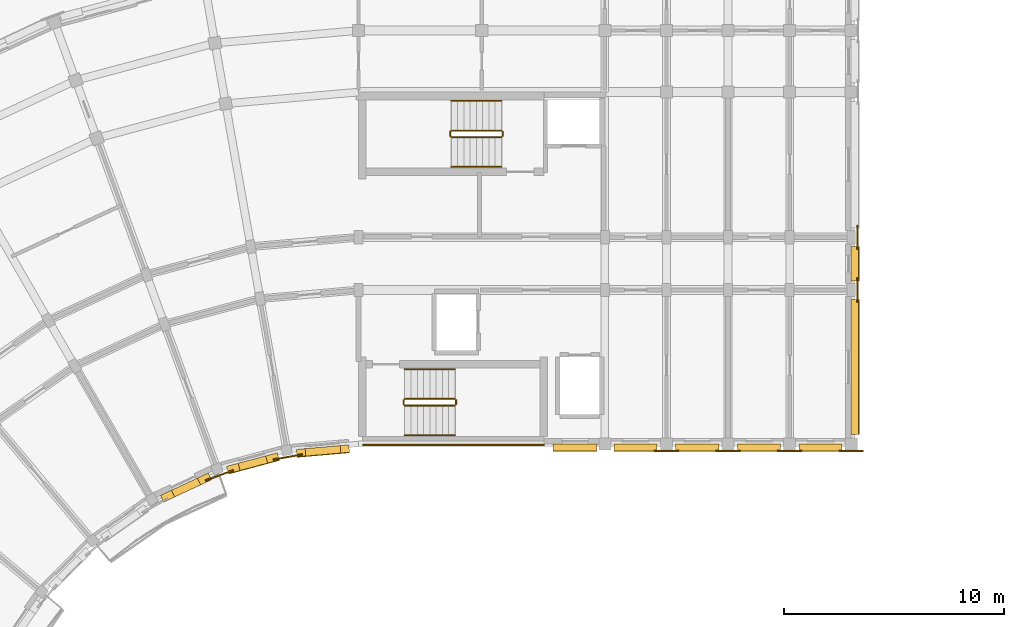
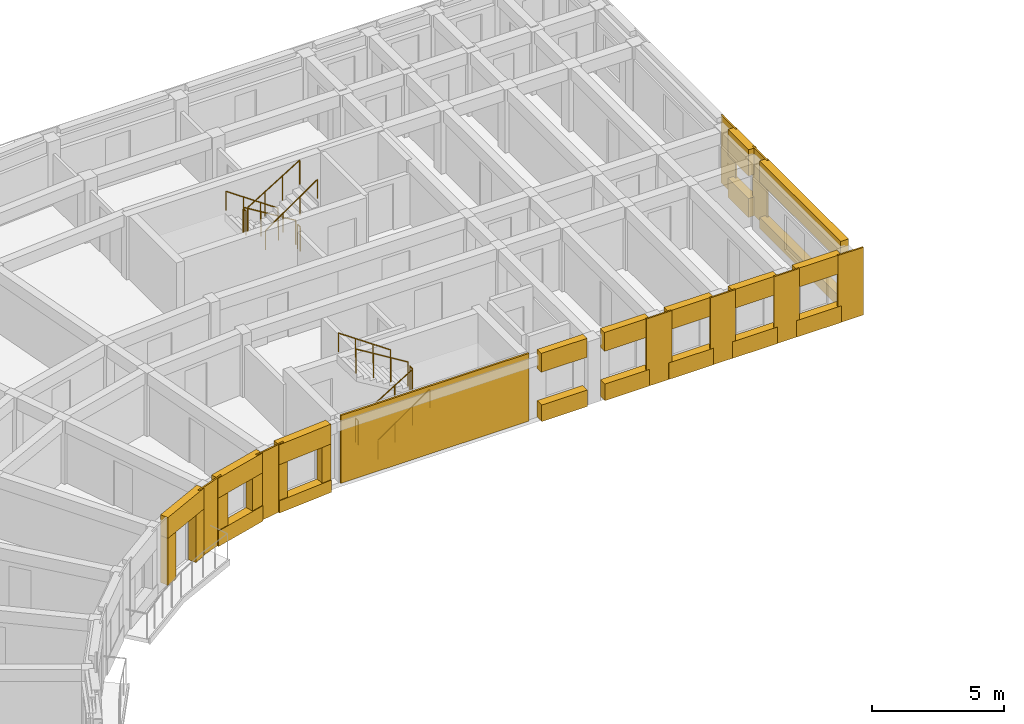
# One storey, part 21 of 23: 34 coverings, 12 railings.
"""IFC4 building model written with IfcOpenShell, lengths in metres."""

from ifc_helpers import new_model, si_unit, direction, frame, origin, origin_2d, place, context, subcontext, project, spatial, polyline, circle, outline, extrude, material, layer, layer_set, type_object, element, save


model = new_model("IFC4")

# Units and contexts
model_context = context("Model", 3, precision=1e-05, world=origin(), true_north=direction((0.0, 1.0)))
body_context = subcontext(model_context, "Body", "Model", "MODEL_VIEW")
ifc_project = project(units=[si_unit("LENGTHUNIT", "METRE"), si_unit("AREAUNIT", "SQUARE_METRE"), si_unit("VOLUMEUNIT", "CUBIC_METRE"), si_unit("PLANEANGLEUNIT", "RADIAN"), si_unit("MASSUNIT", "GRAM", prefix="KILO")], contexts=[model_context])

# Site, building, storey
site_placement = place(None, origin())
site = spatial("IfcSite", under=ifc_project, at=site_placement, CompositionType="ELEMENT")
building_placement = place(site_placement, origin())
building = spatial("IfcBuilding", under=site, at=building_placement, Name="Kiranvali Square Residences", CompositionType="ELEMENT")
storey_placement = place(building_placement, frame((0.0, 0.0, 43.35009765625)))
storey = spatial("IfcBuildingStorey", under=building, at=storey_placement, Name="L13", CompositionType="ELEMENT", Elevation=43.35009765625)

# Coverings
ifc_material_1 = material(Name="Honed Porbandar limestone ashlar facade cladding", Category="masonry")
ifc_layer_1 = layer(ifc_material_1, 0.3798828125)
ifc_layer_set_1 = layer_set([ifc_layer_1], Name="Honed Porbandar limestone ashlar facade cladding")
covering_type_1 = type_object("IfcCoveringType", Name="COV-CLAD-JAMB", PredefinedType="CLADDING", material=ifc_layer_set_1)
covering_1_placement = place(storey_placement, frame((0.0, 0.0, 0.572021484375)))
element("IfcCovering", 1, at=covering_1_placement, inside=storey, type_object=covering_type_1, Name="L13 deep limestone window jamb reveal A-L13-GDN-00.L", PredefinedType="CLADDING", context=body_context, shape_type="SweptSolid", body=[
    extrude(outline(polyline([(47.76171875, 106.56103515625), (47.36474609375, 106.5263671875), (47.394287109375, 106.188232421875), (47.791259765625, 106.222900390625), (47.76171875, 106.56103515625)])), origin(), (0.0, 0.0, 1.0), 1.64990234375),
])
covering_2_placement = place(storey_placement, frame((0.0, 0.0, 0.572021484375)))
element("IfcCovering", 2, at=covering_2_placement, inside=storey, type_object=covering_type_1, Name="L13 deep limestone window jamb reveal A-L13-GDN-00.R", PredefinedType="CLADDING", context=body_context, shape_type="SweptSolid", body=[
    extrude(outline(polyline([(45.770751953125, 106.386962890625), (45.373779296875, 106.352294921875), (45.4033203125, 106.013916015625), (45.80029296875, 106.048828125), (45.770751953125, 106.386962890625)])), origin(), (0.0, 0.0, 1.0), 1.64990234375),
])
covering_3_placement = place(storey_placement, frame((0.0, 0.0, 0.721923828125)))
element("IfcCovering", 3, at=covering_3_placement, inside=storey, type_object=covering_type_1, Name="L13 deep limestone window jamb reveal A-L13-GDN-01.L", PredefinedType="CLADDING", context=body_context, shape_type="SweptSolid", body=[
    extrude(outline(polyline([(44.510498046875, 106.199951171875), (43.980712890625, 106.05810546875), (44.068603515625, 105.730224609375), (44.598388671875, 105.8720703125), (44.510498046875, 106.199951171875)])), origin(), (0.0, 0.0, 1.0), 1.5),
])
covering_4_placement = place(storey_placement, frame((0.0, 0.0, 0.721923828125)))
element("IfcCovering", 4, at=covering_4_placement, inside=storey, type_object=covering_type_1, Name="L13 deep limestone window jamb reveal A-L13-GDN-01.R", PredefinedType="CLADDING", context=body_context, shape_type="SweptSolid", body=[
    extrude(outline(polyline([(42.72509765625, 105.7216796875), (42.195068359375, 105.57958984375), (42.282958984375, 105.251708984375), (42.812744140625, 105.3935546875), (42.72509765625, 105.7216796875)])), origin(), (0.0, 0.0, 1.0), 1.5),
])
covering_5_placement = place(storey_placement, origin())
element("IfcCovering", 5, at=covering_5_placement, inside=storey, type_object=covering_type_1, Name="L13 deep limestone window jamb reveal A-L13-GDN-02.L", PredefinedType="CLADDING", context=body_context, shape_type="SweptSolid", body=[
    extrude(outline(polyline([(41.37158203125, 105.27978515625), (40.874267578125, 105.048095703125), (41.017822265625, 104.740234375), (41.514892578125, 104.97216796875), (41.37158203125, 105.27978515625)])), origin(), (0.0, 0.0, 1.0), 2.179931640625),
])
covering_6_placement = place(storey_placement, origin())
element("IfcCovering", 6, at=covering_6_placement, inside=storey, type_object=covering_type_1, Name="L13 deep limestone window jamb reveal A-L13-GDN-02.R", PredefinedType="CLADDING", context=body_context, shape_type="SweptSolid", body=[
    extrude(outline(polyline([(39.696044921875, 104.49853515625), (39.198974609375, 104.266845703125), (39.342529296875, 103.958984375), (39.839599609375, 104.19091796875), (39.696044921875, 104.49853515625)])), origin(), (0.0, 0.0, 1.0), 2.179931640625),
])
ifc_layer_2 = layer(ifc_material_1, 0.06494140625)
ifc_layer_set_2 = layer_set([ifc_layer_2], Name="Honed Porbandar limestone ashlar facade cladding")
covering_type_2 = type_object("IfcCoveringType", Name="COV-CLAD-PIER", PredefinedType="CLADDING", material=ifc_layer_set_2)
covering_7_placement = place(storey_placement, frame((0.0, 0.0, 0.0048828125)))
element("IfcCovering", 7, at=covering_7_placement, inside=storey, type_object=covering_type_2, Name="Block A L13 garden stair limestone ashlar cladding", PredefinedType="CLADDING", context=body_context, shape_type="SweptSolid", body=[
    extrude(outline(polyline([(48.39990234375, 106.52001953125), (56.64990234375, 106.52001953125), (56.64990234375, 106.597900390625), (48.39990234375, 106.597900390625), (48.39990234375, 106.52001953125)])), origin(), (0.0, 0.0, 1.0), 3.14013671875),
])
ifc_layer_3 = layer(ifc_material_1, 0.050048828125)
ifc_layer_set_3 = layer_set([ifc_layer_3], Name="Honed Porbandar limestone ashlar facade cladding")
covering_type_3 = type_object("IfcCoveringType", Name="COV-CLAD-PIER-IN", PredefinedType="CLADDING", material=ifc_layer_set_3)
covering_8_placement = place(storey_placement, frame((0.0, 0.0, 0.0048828125)))
element("IfcCovering", 8, at=covering_8_placement, inside=storey, type_object=covering_type_3, Name="L13 Classical garden courtyard pilaster CLAD-PRIN-A-L13-A01", PredefinedType="CLADDING", context=body_context, shape_type="SweptSolid", body=[
    extrude(outline(polyline([(44.330322265625, 105.859375), (45.65966796875, 106.09375), (45.64794921875, 106.160400390625), (44.318603515625, 105.92578125), (44.330322265625, 105.859375)])), origin(), (0.0, 0.0, 1.0), 3.14013671875),
])
covering_9_placement = place(storey_placement, frame((0.0, 0.0, 0.0048828125)))
element("IfcCovering", 9, at=covering_9_placement, inside=storey, type_object=covering_type_3, Name="L13 Classical garden courtyard pilaster CLAD-PRIN-A-L13-A02", PredefinedType="CLADDING", context=body_context, shape_type="SweptSolid", body=[
    extrude(outline(polyline([(41.2529296875, 104.9130859375), (42.521728515625, 105.374755859375), (42.49853515625, 105.438232421875), (41.22998046875, 104.9765625), (41.2529296875, 104.9130859375)])), origin(), (0.0, 0.0, 1.0), 3.14013671875),
])
covering_10_placement = place(storey_placement, frame((0.0, 0.0, 0.0048828125)))
element("IfcCovering", 10, at=covering_10_placement, inside=storey, type_object=covering_type_3, Name="L13 Classical limestone pilaster casing CLAD-PRA1I-A-L13-U140", PredefinedType="CLADDING", context=body_context, shape_type="SweptSolid", body=[
    extrude(outline(polyline([(61.64501953125, 106.257080078125), (62.7548828125, 106.257080078125), (62.7548828125, 106.324462890625), (61.64501953125, 106.324462890625), (61.64501953125, 106.257080078125)])), origin(), (0.0, 0.0, 1.0), 3.14013671875),
])
covering_11_placement = place(storey_placement, frame((0.0, 0.0, 0.0048828125)))
element("IfcCovering", 11, at=covering_11_placement, inside=storey, type_object=covering_type_3, Name="L13 Classical limestone pilaster casing CLAD-PRA1I-A-L13-U167", PredefinedType="CLADDING", context=body_context, shape_type="SweptSolid", body=[
    extrude(outline(polyline([(64.445068359375, 106.257080078125), (65.554931640625, 106.257080078125), (65.554931640625, 106.324462890625), (64.445068359375, 106.324462890625), (64.445068359375, 106.257080078125)])), origin(), (0.0, 0.0, 1.0), 3.14013671875),
])
covering_12_placement = place(storey_placement, frame((0.0, 0.0, 0.0048828125)))
element("IfcCovering", 12, at=covering_12_placement, inside=storey, type_object=covering_type_3, Name="L13 Classical limestone pilaster casing CLAD-PRA1I-A-L13-U195", PredefinedType="CLADDING", context=body_context, shape_type="SweptSolid", body=[
    extrude(outline(polyline([(67.2451171875, 106.257080078125), (68.35498046875, 106.257080078125), (68.35498046875, 106.324462890625), (67.2451171875, 106.324462890625), (67.2451171875, 106.257080078125)])), origin(), (0.0, 0.0, 1.0), 3.14013671875),
])
covering_13_placement = place(storey_placement, frame((0.0, 0.0, 0.0048828125)))
element("IfcCovering", 13, at=covering_13_placement, inside=storey, type_object=covering_type_3, Name="L13 Classical limestone pilaster casing CLAD-PRA1I-A-L13-U224", PredefinedType="CLADDING", context=body_context, shape_type="SweptSolid", body=[
    extrude(outline(polyline([(70.044921875, 106.257080078125), (71.155029296875, 106.257080078125), (71.155029296875, 106.324462890625), (70.044921875, 106.324462890625), (70.044921875, 106.257080078125)])), origin(), (0.0, 0.0, 1.0), 3.14013671875),
])
ifc_layer_4 = layer(ifc_material_1, 0.054931640625)
ifc_layer_set_4 = layer_set([ifc_layer_4], Name="Honed Porbandar limestone ashlar facade cladding")
covering_type_4 = type_object("IfcCoveringType", Name="COV-CLAD-PIER-UP", PredefinedType="CLADDING", material=ifc_layer_set_4)
covering_14_placement = place(storey_placement, frame((0.0, 0.0, 0.0048828125)))
element("IfcCovering", 14, at=covering_14_placement, inside=storey, type_object=covering_type_4, Name="L13 Classical limestone pilaster casing CLAD-PRA1E-A-L13-R258", PredefinedType="CLADDING", context=body_context, shape_type="SweptSolid", body=[
    extrude(outline(polyline([(70.91796875, 113.044921875), (70.91796875, 114.155029296875), (70.8505859375, 114.155029296875), (70.8505859375, 113.044921875), (70.91796875, 113.044921875)])), origin(), (0.0, 0.0, 1.0), 3.14013671875),
])
covering_15_placement = place(storey_placement, frame((0.0, 0.0, 0.0048828125)))
element("IfcCovering", 15, at=covering_15_placement, inside=storey, type_object=covering_type_4, Name="L13 Classical limestone pilaster casing CLAD-PRA1E-A-L13-R282", PredefinedType="CLADDING", context=body_context, shape_type="SweptSolid", body=[
    extrude(outline(polyline([(70.91796875, 115.445068359375), (70.91796875, 116.554931640625), (70.8505859375, 116.554931640625), (70.8505859375, 115.445068359375), (70.91796875, 115.445068359375)])), origin(), (0.0, 0.0, 1.0), 3.14013671875),
])
ifc_layer_5 = layer(ifc_material_1, 0.360107421875)
ifc_layer_set_5 = layer_set([ifc_layer_5], Name="Honed Porbandar limestone ashlar facade cladding")
covering_type_5 = type_object("IfcCoveringType", Name="COV-CLAD-WALL", PredefinedType="CLADDING", material=ifc_layer_set_5)
covering_16_placement = place(storey_placement, frame((0.0, 0.0, 2.221923828125)))
element("IfcCovering", 16, at=covering_16_placement, inside=storey, type_object=covering_type_5, Name="L13 light limestone spandrel lintel A-L13-GDN-00", PredefinedType="CLADDING", context=body_context, shape_type="SweptSolid", body=[
    extrude(outline(polyline([(47.76171875, 106.56103515625), (45.373779296875, 106.352294921875), (45.4033203125, 106.013916015625), (47.791259765625, 106.222900390625), (47.76171875, 106.56103515625)])), origin(), (0.0, 0.0, 1.0), 0.923095703125),
])
covering_17_placement = place(storey_placement, frame((0.0, 0.0, 2.221923828125)))
element("IfcCovering", 17, at=covering_17_placement, inside=storey, type_object=covering_type_5, Name="L13 light limestone spandrel lintel A-L13-GDN-01", PredefinedType="CLADDING", context=body_context, shape_type="SweptSolid", body=[
    extrude(outline(polyline([(44.510498046875, 106.199951171875), (42.195068359375, 105.57958984375), (42.282958984375, 105.251708984375), (44.598388671875, 105.8720703125), (44.510498046875, 106.199951171875)])), origin(), (0.0, 0.0, 1.0), 0.923095703125),
])
covering_18_placement = place(storey_placement, frame((0.0, 0.0, 2.179931640625)))
element("IfcCovering", 18, at=covering_18_placement, inside=storey, type_object=covering_type_5, Name="L13 light limestone spandrel lintel A-L13-GDN-02", PredefinedType="CLADDING", context=body_context, shape_type="SweptSolid", body=[
    extrude(outline(polyline([(41.37158203125, 105.27978515625), (39.198974609375, 104.266845703125), (39.342529296875, 103.958984375), (41.514892578125, 104.97216796875), (41.37158203125, 105.27978515625)])), origin(), (0.0, 0.0, 1.0), 0.965087890625),
])
covering_19_placement = place(storey_placement, frame((0.0, 0.0, 2.27197265625)))
element("IfcCovering", 19, at=covering_19_placement, inside=storey, type_object=covering_type_5, Name="L13 light limestone spandrel lintel A-L13-A1IN-0", PredefinedType="CLADDING", context=body_context, shape_type="SweptSolid", body=[
    extrude(outline(polyline([(57.050048828125, 106.280029296875), (59.050048828125, 106.280029296875), (59.050048828125, 106.599609375), (57.050048828125, 106.599609375), (57.050048828125, 106.280029296875)])), origin(), (0.0, 0.0, 1.0), 0.873046875),
])
covering_20_placement = place(storey_placement, frame((0.0, 0.0, 2.27197265625)))
element("IfcCovering", 20, at=covering_20_placement, inside=storey, type_object=covering_type_5, Name="L13 light limestone spandrel lintel A-L13-A1I-0", PredefinedType="CLADDING", context=body_context, shape_type="SweptSolid", body=[
    extrude(outline(polyline([(59.820068359375, 106.280029296875), (61.780029296875, 106.280029296875), (61.780029296875, 106.599609375), (59.820068359375, 106.599609375), (59.820068359375, 106.280029296875)])), origin(), (0.0, 0.0, 1.0), 0.873046875),
])
covering_21_placement = place(storey_placement, frame((0.0, 0.0, 2.27197265625)))
element("IfcCovering", 21, at=covering_21_placement, inside=storey, type_object=covering_type_5, Name="L13 light limestone spandrel lintel A-L13-A1I-1", PredefinedType="CLADDING", context=body_context, shape_type="SweptSolid", body=[
    extrude(outline(polyline([(62.6201171875, 106.280029296875), (64.580078125, 106.280029296875), (64.580078125, 106.599609375), (62.6201171875, 106.599609375), (62.6201171875, 106.280029296875)])), origin(), (0.0, 0.0, 1.0), 0.873046875),
])
covering_22_placement = place(storey_placement, frame((0.0, 0.0, 2.27197265625)))
element("IfcCovering", 22, at=covering_22_placement, inside=storey, type_object=covering_type_5, Name="L13 light limestone spandrel lintel A-L13-A1I-2", PredefinedType="CLADDING", context=body_context, shape_type="SweptSolid", body=[
    extrude(outline(polyline([(65.419921875, 106.280029296875), (67.3798828125, 106.280029296875), (67.3798828125, 106.599609375), (65.419921875, 106.599609375), (65.419921875, 106.280029296875)])), origin(), (0.0, 0.0, 1.0), 0.873046875),
])
covering_23_placement = place(storey_placement, frame((0.0, 0.0, 2.27197265625)))
element("IfcCovering", 23, at=covering_23_placement, inside=storey, type_object=covering_type_5, Name="L13 light limestone spandrel lintel A-L13-A1I-3", PredefinedType="CLADDING", context=body_context, shape_type="SweptSolid", body=[
    extrude(outline(polyline([(68.219970703125, 106.280029296875), (70.179931640625, 106.280029296875), (70.179931640625, 106.599609375), (68.219970703125, 106.599609375), (68.219970703125, 106.280029296875)])), origin(), (0.0, 0.0, 1.0), 0.873046875),
])
covering_24_placement = place(storey_placement, frame((0.0, 0.0, 2.171875)))
element("IfcCovering", 24, at=covering_24_placement, inside=storey, type_object=covering_type_5, Name="L13 light limestone spandrel lintel A-L13-A1END-0", PredefinedType="CLADDING", context=body_context, shape_type="SweptSolid", body=[
    extrude(outline(polyline([(70.93994140625, 107.02001953125), (70.93994140625, 113.179931640625), (70.6005859375, 113.179931640625), (70.6005859375, 107.02001953125), (70.93994140625, 107.02001953125)])), origin(), (0.0, 0.0, 1.0), 0.97314453125),
])
covering_25_placement = place(storey_placement, frame((0.0, 0.0, 1.929931640625)))
element("IfcCovering", 25, at=covering_25_placement, inside=storey, type_object=covering_type_5, Name="L13 light limestone spandrel lintel A-L13-A1END-1", PredefinedType="CLADDING", context=body_context, shape_type="SweptSolid", body=[
    extrude(outline(polyline([(70.93994140625, 114.02001953125), (70.93994140625, 115.580078125), (70.6005859375, 115.580078125), (70.6005859375, 114.02001953125), (70.93994140625, 114.02001953125)])), origin(), (0.0, 0.0, 1.0), 1.215087890625),
])
ifc_layer_6 = layer(ifc_material_1, 0.320068359375)
ifc_layer_set_6 = layer_set([ifc_layer_6], Name="Honed Porbandar limestone ashlar facade cladding")
covering_type_6 = type_object("IfcCoveringType", Name="COV-CLAD-WALL-UP", PredefinedType="CLADDING", material=ifc_layer_set_6)
covering_26_placement = place(storey_placement, frame((0.0, 0.0, 0.0048828125)))
element("IfcCovering", 26, at=covering_26_placement, inside=storey, type_object=covering_type_6, Name="L13 limestone window sill apron A-L13-GDN-00", PredefinedType="CLADDING", context=body_context, shape_type="SweptSolid", body=[
    extrude(outline(polyline([(47.76171875, 106.56103515625), (45.373779296875, 106.352294921875), (45.406005859375, 105.984130859375), (47.7939453125, 106.193115234375), (47.76171875, 106.56103515625)])), origin(), (0.0, 0.0, 1.0), 0.567138671875),
])
covering_27_placement = place(storey_placement, frame((0.0, 0.0, 0.0048828125)))
element("IfcCovering", 27, at=covering_27_placement, inside=storey, type_object=covering_type_6, Name="L13 limestone window sill apron A-L13-GDN-01", PredefinedType="CLADDING", context=body_context, shape_type="SweptSolid", body=[
    extrude(outline(polyline([(44.510498046875, 106.199951171875), (42.195068359375, 105.57958984375), (42.290771484375, 105.22265625), (44.606201171875, 105.843017578125), (44.510498046875, 106.199951171875)])), origin(), (0.0, 0.0, 1.0), 0.717041015625),
])
covering_28_placement = place(storey_placement, frame((0.0, 0.0, 0.0048828125)))
element("IfcCovering", 28, at=covering_28_placement, inside=storey, type_object=covering_type_6, Name="L13 limestone window sill apron A-L13-A1IN-0", PredefinedType="CLADDING", context=body_context, shape_type="SweptSolid", body=[
    extrude(outline(polyline([(57.050048828125, 106.25), (59.050048828125, 106.25), (59.050048828125, 106.599609375), (57.050048828125, 106.599609375), (57.050048828125, 106.25)])), origin(), (0.0, 0.0, 1.0), 0.76708984375),
])
covering_29_placement = place(storey_placement, frame((0.0, 0.0, 0.0048828125)))
element("IfcCovering", 29, at=covering_29_placement, inside=storey, type_object=covering_type_6, Name="L13 limestone window sill apron A-L13-A1I-0", PredefinedType="CLADDING", context=body_context, shape_type="SweptSolid", body=[
    extrude(outline(polyline([(59.820068359375, 106.25), (61.780029296875, 106.25), (61.780029296875, 106.599609375), (59.820068359375, 106.599609375), (59.820068359375, 106.25)])), origin(), (0.0, 0.0, 1.0), 0.76708984375),
])
covering_30_placement = place(storey_placement, frame((0.0, 0.0, 0.0048828125)))
element("IfcCovering", 30, at=covering_30_placement, inside=storey, type_object=covering_type_6, Name="L13 limestone window sill apron A-L13-A1I-1", PredefinedType="CLADDING", context=body_context, shape_type="SweptSolid", body=[
    extrude(outline(polyline([(62.6201171875, 106.25), (64.580078125, 106.25), (64.580078125, 106.599609375), (62.6201171875, 106.599609375), (62.6201171875, 106.25)])), origin(), (0.0, 0.0, 1.0), 0.76708984375),
])
covering_31_placement = place(storey_placement, frame((0.0, 0.0, 0.0048828125)))
element("IfcCovering", 31, at=covering_31_placement, inside=storey, type_object=covering_type_6, Name="L13 limestone window sill apron A-L13-A1I-2", PredefinedType="CLADDING", context=body_context, shape_type="SweptSolid", body=[
    extrude(outline(polyline([(65.419921875, 106.25), (67.3798828125, 106.25), (67.3798828125, 106.599609375), (65.419921875, 106.599609375), (65.419921875, 106.25)])), origin(), (0.0, 0.0, 1.0), 0.76708984375),
])
covering_32_placement = place(storey_placement, frame((0.0, 0.0, 0.0048828125)))
element("IfcCovering", 32, at=covering_32_placement, inside=storey, type_object=covering_type_6, Name="L13 limestone window sill apron A-L13-A1I-3", PredefinedType="CLADDING", context=body_context, shape_type="SweptSolid", body=[
    extrude(outline(polyline([(68.219970703125, 106.25), (70.179931640625, 106.25), (70.179931640625, 106.599609375), (68.219970703125, 106.599609375), (68.219970703125, 106.25)])), origin(), (0.0, 0.0, 1.0), 0.76708984375),
])
covering_33_placement = place(storey_placement, frame((0.0, 0.0, 0.0048828125)))
element("IfcCovering", 33, at=covering_33_placement, inside=storey, type_object=covering_type_6, Name="L13 limestone window sill apron A-L13-A1END-0", PredefinedType="CLADDING", context=body_context, shape_type="SweptSolid", body=[
    extrude(outline(polyline([(70.969970703125, 107.02001953125), (70.969970703125, 113.179931640625), (70.6005859375, 113.179931640625), (70.6005859375, 107.02001953125), (70.969970703125, 107.02001953125)])), origin(), (0.0, 0.0, 1.0), 0.51708984375),
])
covering_34_placement = place(storey_placement, frame((0.0, 0.0, 0.0048828125)))
element("IfcCovering", 34, at=covering_34_placement, inside=storey, type_object=covering_type_6, Name="L13 limestone window sill apron A-L13-A1END-1", PredefinedType="CLADDING", context=body_context, shape_type="SweptSolid", body=[
    extrude(outline(polyline([(70.969970703125, 114.02001953125), (70.969970703125, 115.580078125), (70.6005859375, 115.580078125), (70.6005859375, 114.02001953125), (70.969970703125, 114.02001953125)])), origin(), (0.0, 0.0, 1.0), 0.875),
])

# Railings
ifc_material_2 = material(Name="Brushed stainless steel tubular handrail", Category="steel")
railing_type_1 = type_object("IfcRailingType", Name="RL-HANDRAIL-900", PredefinedType="HANDRAIL", material=ifc_material_2)
railing_1_placement = place(storey_placement, frame((54.699951171875, 122.199951171875, 0.1748046875)))
element("IfcRailing", 35, at=railing_1_placement, inside=storey, type_object=railing_type_1, Name="L13 ST-A1 stair handrail 1", PredefinedType="HANDRAIL", context=body_context, shape_type="SweptSolid", body=[
    extrude(circle(Radius=0.02392578125, at=origin_2d()), frame((0.0, 0.0, 0.8759765625), z_axis=(-0.82274681792, 0.0, 0.568408016835), x_axis=(0.0, -1.0, 0.0)), (0.0, 0.0, 1.0), 2.771240234375),
    extrude(circle(Radius=0.02099609375, at=origin_2d()), origin(), (0.0, 0.0, 1.0), 0.851806640625),
    extrude(circle(Radius=0.02099609375, at=origin_2d()), frame((-0.760009765625, 0.0, 0.525146484375)), (0.0, 0.0, 1.0), 0.851806640625),
    extrude(circle(Radius=0.02099609375, at=origin_2d()), frame((-1.52001953125, 0.0, 1.050048828125)), (0.0, 0.0, 1.0), 0.851806640625),
    extrude(circle(Radius=0.02099609375, at=origin_2d()), frame((-2.280029296875, 0.0, 1.5751953125)), (0.0, 0.0, 1.0), 0.851806640625),
])
railing_2_placement = place(storey_placement, frame((52.419921875, 119.199951171875, 1.75)))
element("IfcRailing", 36, at=railing_2_placement, inside=storey, type_object=railing_type_1, Name="L13 ST-A1 stair handrail 2", PredefinedType="HANDRAIL", context=body_context, shape_type="SweptSolid", body=[
    extrude(circle(Radius=0.02392578125, at=origin_2d()), frame((0.0, 0.0, 0.8759765625), z_axis=(0.82278801735, 0.0, 0.568348377763), x_axis=(0.0, 1.0, 0.0)), (0.0, 0.0, 1.0), 2.77099609375),
    extrude(circle(Radius=0.02099609375, at=origin_2d()), origin(), (0.0, 0.0, 1.0), 0.851806640625),
    extrude(circle(Radius=0.02099609375, at=origin_2d()), frame((0.760009765625, 0.0, 0.52490234375)), (0.0, 0.0, 1.0), 0.851806640625),
    extrude(circle(Radius=0.02099609375, at=origin_2d()), frame((1.52001953125, 0.0, 1.050048828125)), (0.0, 0.0, 1.0), 0.851806640625),
    extrude(circle(Radius=0.02099609375, at=origin_2d()), frame((2.280029296875, 0.0, 1.574951171875)), (0.0, 0.0, 1.0), 0.851806640625),
])
railing_3_placement = place(storey_placement, frame((50.300048828125, 107.0, 0.1748046875)))
element("IfcRailing", 37, at=railing_3_placement, inside=storey, type_object=railing_type_1, Name="L13 ST-A2 stair handrail 1", PredefinedType="HANDRAIL", context=body_context, shape_type="SweptSolid", body=[
    extrude(circle(Radius=0.02392578125, at=origin_2d()), frame((0.0, 0.0, 0.8759765625), z_axis=(0.82274681792, 0.0, 0.568408016835), x_axis=(0.0, 1.0, 0.0)), (0.0, 0.0, 1.0), 2.771240234375),
    extrude(circle(Radius=0.02099609375, at=origin_2d()), origin(), (0.0, 0.0, 1.0), 0.851806640625),
    extrude(circle(Radius=0.02099609375, at=origin_2d()), frame((0.760009765625, 0.0, 0.525146484375)), (0.0, 0.0, 1.0), 0.851806640625),
    extrude(circle(Radius=0.02099609375, at=origin_2d()), frame((1.52001953125, 0.0, 1.050048828125)), (0.0, 0.0, 1.0), 0.851806640625),
    extrude(circle(Radius=0.02099609375, at=origin_2d()), frame((2.280029296875, 0.0, 1.5751953125)), (0.0, 0.0, 1.0), 0.851806640625),
])
railing_4_placement = place(storey_placement, frame((52.580078125, 110.0, 1.75)))
element("IfcRailing", 38, at=railing_4_placement, inside=storey, type_object=railing_type_1, Name="L13 ST-A2 stair handrail 2", PredefinedType="HANDRAIL", context=body_context, shape_type="SweptSolid", body=[
    extrude(circle(Radius=0.02392578125, at=origin_2d()), frame((0.0, 0.0, 0.8759765625), z_axis=(-0.82278801735, 0.0, 0.568348377763), x_axis=(0.0, -1.0, 0.0)), (0.0, 0.0, 1.0), 2.77099609375),
    extrude(circle(Radius=0.02099609375, at=origin_2d()), origin(), (0.0, 0.0, 1.0), 0.851806640625),
    extrude(circle(Radius=0.02099609375, at=origin_2d()), frame((-0.760009765625, 0.0, 0.52490234375)), (0.0, 0.0, 1.0), 0.851806640625),
    extrude(circle(Radius=0.02099609375, at=origin_2d()), frame((-1.52001953125, 0.0, 1.050048828125)), (0.0, 0.0, 1.0), 0.851806640625),
    extrude(circle(Radius=0.02099609375, at=origin_2d()), frame((-2.280029296875, 0.0, 1.574951171875)), (0.0, 0.0, 1.0), 0.851806640625),
])
ifc_material_3 = material(Name="Powder-coated architectural bronze balustrade", Category="steel")
railing_type_2 = type_object("IfcRailingType", Name="RL-ST-GUARD-1200", PredefinedType="GUARDRAIL", material=ifc_material_3)
railing_5_placement = place(storey_placement, frame((54.699951171875, 120.85009765625, 0.1748046875)))
element("IfcRailing", 39, at=railing_5_placement, inside=storey, type_object=railing_type_2, Name="L13 ST-A1 stair guard 1", PredefinedType="GUARDRAIL", context=body_context, shape_type="SweptSolid", body=[
    extrude(circle(Radius=0.02392578125, at=origin_2d()), frame((0.0, 0.0, 1.1259765625), z_axis=(-0.852149810458, 0.0, 0.523297908018), x_axis=(0.0, -1.0, 0.0)), (0.0, 0.0, 1.0), 2.675537109375),
    extrude(circle(Radius=0.02099609375, at=origin_2d()), origin(), (0.0, 0.0, 1.0), 1.101806640625),
    extrude(circle(Radius=0.02099609375, at=origin_2d()), frame((-0.760009765625, 0.0, 0.466796875)), (0.0, 0.0, 1.0), 1.101806640625),
    extrude(circle(Radius=0.02099609375, at=origin_2d()), frame((-1.52001953125, 0.0, 0.933349609375)), (0.0, 0.0, 1.0), 1.101806640625),
    extrude(circle(Radius=0.02099609375, at=origin_2d()), frame((-2.280029296875, 0.0, 1.400146484375)), (0.0, 0.0, 1.0), 1.101806640625),
])
railing_6_placement = place(storey_placement, frame((52.3701171875, 120.800048828125, 1.574951171875)))
element("IfcRailing", 40, at=railing_6_placement, inside=storey, type_object=railing_type_2, Name="L13 ST-A1 stair guard 2", PredefinedType="GUARDRAIL", context=body_context, shape_type="SweptSolid", body=[
    extrude(circle(Radius=0.02392578125, at=origin_2d()), frame((0.0, 0.0, 1.1259765625), z_axis=(0.0, -1.0, 0.0), x_axis=(1.0, 0.0, 0.0)), (0.0, 0.0, 1.0), 0.199951171875),
    extrude(circle(Radius=0.02099609375, at=origin_2d()), origin(), (0.0, 0.0, 1.0), 1.101806640625),
    extrude(circle(Radius=0.02099609375, at=origin_2d()), frame((0.0, -0.199951171875, 0.0)), (0.0, 0.0, 1.0), 1.101806640625),
])
railing_7_placement = place(storey_placement, frame((52.419921875, 120.550048828125, 1.75)))
element("IfcRailing", 41, at=railing_7_placement, inside=storey, type_object=railing_type_2, Name="L13 ST-A1 stair guard 3", PredefinedType="GUARDRAIL", context=body_context, shape_type="SweptSolid", body=[
    extrude(circle(Radius=0.02392578125, at=origin_2d()), frame((0.0, 0.0, 1.1259765625), z_axis=(0.852190499154, 0.0, 0.523231643875), x_axis=(0.0, 1.0, 0.0)), (0.0, 0.0, 1.0), 2.675537109375),
    extrude(circle(Radius=0.02099609375, at=origin_2d()), origin(), (0.0, 0.0, 1.0), 1.101806640625),
    extrude(circle(Radius=0.02099609375, at=origin_2d()), frame((0.760009765625, 0.0, 0.466552734375)), (0.0, 0.0, 1.0), 1.101806640625),
    extrude(circle(Radius=0.02099609375, at=origin_2d()), frame((1.52001953125, 0.0, 0.933349609375)), (0.0, 0.0, 1.0), 1.101806640625),
    extrude(circle(Radius=0.02099609375, at=origin_2d()), frame((2.280029296875, 0.0, 1.39990234375)), (0.0, 0.0, 1.0), 1.101806640625),
])
railing_8_placement = place(storey_placement, frame((54.75, 120.800048828125, 0.0)))
element("IfcRailing", 42, at=railing_8_placement, inside=storey, type_object=railing_type_2, Name="L13 ST-A1 stair guard 4", PredefinedType="GUARDRAIL", context=body_context, shape_type="SweptSolid", body=[
    extrude(circle(Radius=0.02392578125, at=origin_2d()), frame((0.0, 0.0, 1.1259765625), z_axis=(0.0, -1.0, 0.0), x_axis=(1.0, 0.0, 0.0)), (0.0, 0.0, 1.0), 0.199951171875),
    extrude(circle(Radius=0.02099609375, at=origin_2d()), origin(), (0.0, 0.0, 1.0), 1.101806640625),
    extrude(circle(Radius=0.02099609375, at=origin_2d()), frame((0.0, -0.199951171875, 0.0)), (0.0, 0.0, 1.0), 1.101806640625),
])
railing_9_placement = place(storey_placement, frame((50.300048828125, 108.35009765625, 0.1748046875)))
element("IfcRailing", 43, at=railing_9_placement, inside=storey, type_object=railing_type_2, Name="L13 ST-A2 stair guard 1", PredefinedType="GUARDRAIL", context=body_context, shape_type="SweptSolid", body=[
    extrude(circle(Radius=0.02392578125, at=origin_2d()), frame((0.0, 0.0, 1.1259765625), z_axis=(0.852149810458, 0.0, 0.523297908018), x_axis=(0.0, 1.0, 0.0)), (0.0, 0.0, 1.0), 2.675537109375),
    extrude(circle(Radius=0.02099609375, at=origin_2d()), origin(), (0.0, 0.0, 1.0), 1.101806640625),
    extrude(circle(Radius=0.02099609375, at=origin_2d()), frame((0.760009765625, 0.0, 0.466796875)), (0.0, 0.0, 1.0), 1.101806640625),
    extrude(circle(Radius=0.02099609375, at=origin_2d()), frame((1.52001953125, 0.0, 0.933349609375)), (0.0, 0.0, 1.0), 1.101806640625),
    extrude(circle(Radius=0.02099609375, at=origin_2d()), frame((2.280029296875, 0.0, 1.400146484375)), (0.0, 0.0, 1.0), 1.101806640625),
])
railing_10_placement = place(storey_placement, frame((52.6298828125, 108.39990234375, 1.574951171875)))
element("IfcRailing", 44, at=railing_10_placement, inside=storey, type_object=railing_type_2, Name="L13 ST-A2 stair guard 2", PredefinedType="GUARDRAIL", context=body_context, shape_type="SweptSolid", body=[
    extrude(circle(Radius=0.02392578125, at=origin_2d()), frame((0.0, 0.0, 1.1259765625), z_axis=(0.0, 1.0, 0.0), x_axis=(-1.0, 0.0, 0.0)), (0.0, 0.0, 1.0), 0.2001953125),
    extrude(circle(Radius=0.02099609375, at=origin_2d()), origin(), (0.0, 0.0, 1.0), 1.101806640625),
    extrude(circle(Radius=0.02099609375, at=origin_2d()), frame((0.0, 0.2001953125, 0.0)), (0.0, 0.0, 1.0), 1.101806640625),
])
railing_11_placement = place(storey_placement, frame((52.580078125, 108.64990234375, 1.75)))
element("IfcRailing", 45, at=railing_11_placement, inside=storey, type_object=railing_type_2, Name="L13 ST-A2 stair guard 3", PredefinedType="GUARDRAIL", context=body_context, shape_type="SweptSolid", body=[
    extrude(circle(Radius=0.02392578125, at=origin_2d()), frame((0.0, 0.0, 1.1259765625), z_axis=(-0.852190499154, 0.0, 0.523231643875), x_axis=(0.0, -1.0, 0.0)), (0.0, 0.0, 1.0), 2.675537109375),
    extrude(circle(Radius=0.02099609375, at=origin_2d()), origin(), (0.0, 0.0, 1.0), 1.101806640625),
    extrude(circle(Radius=0.02099609375, at=origin_2d()), frame((-0.760009765625, 0.0, 0.466552734375)), (0.0, 0.0, 1.0), 1.101806640625),
    extrude(circle(Radius=0.02099609375, at=origin_2d()), frame((-1.52001953125, 0.0, 0.933349609375)), (0.0, 0.0, 1.0), 1.101806640625),
    extrude(circle(Radius=0.02099609375, at=origin_2d()), frame((-2.280029296875, 0.0, 1.39990234375)), (0.0, 0.0, 1.0), 1.101806640625),
])
railing_12_placement = place(storey_placement, frame((50.25, 108.39990234375, 0.0)))
element("IfcRailing", 46, at=railing_12_placement, inside=storey, type_object=railing_type_2, Name="L13 ST-A2 stair guard 4", PredefinedType="GUARDRAIL", context=body_context, shape_type="SweptSolid", body=[
    extrude(circle(Radius=0.02392578125, at=origin_2d()), frame((0.0, 0.0, 1.1259765625), z_axis=(0.0, 1.0, 0.0), x_axis=(-1.0, 0.0, 0.0)), (0.0, 0.0, 1.0), 0.2001953125),
    extrude(circle(Radius=0.02099609375, at=origin_2d()), origin(), (0.0, 0.0, 1.0), 1.101806640625),
    extrude(circle(Radius=0.02099609375, at=origin_2d()), frame((0.0, 0.2001953125, 0.0)), (0.0, 0.0, 1.0), 1.101806640625),
])

save(model, "model.ifc")
